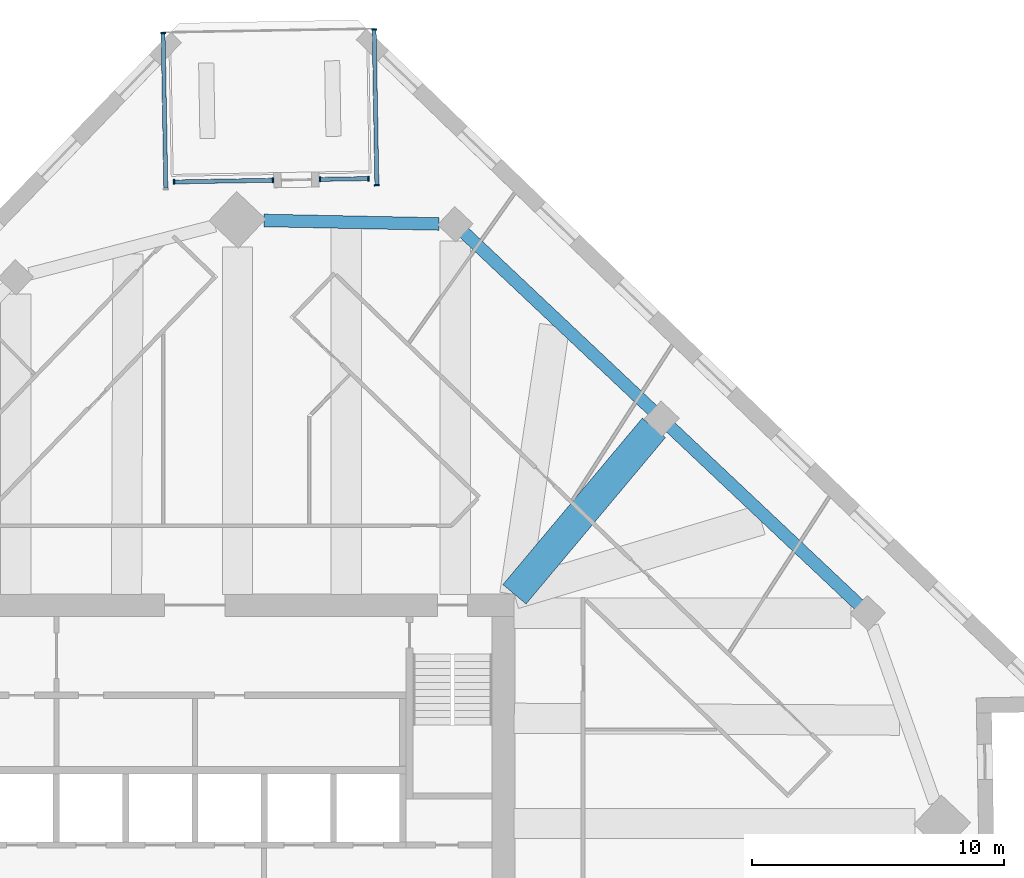
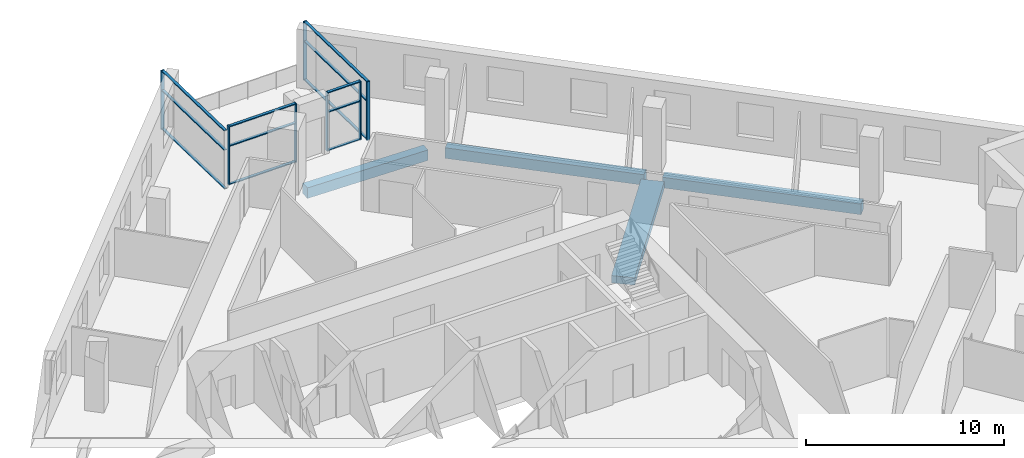
# One storey, part 4 of 13: 19 members, 4 beams, 4 elements without a shape of their own.
"""IFC4 building model written with IfcOpenShell, lengths in metres."""

import ifcopenshell
import ifcopenshell.guid

model = None  # the IFC model being written
_history = None  # IfcOwnerHistory: only IFC2X3 demands one
_inside = {}  # id of a spatial element -> (the spatial element, [elements in it])
_under = {}  # id of a project, library or spatial element -> (it, [spatial elements below it])
_declared = {}  # id of a project -> (the project, [libraries it declares])
_typed = {}  # id of a type object -> (the type object, [elements of that type])
_made_of = {}  # id of a material, layer set ... -> (it, [elements and type objects made of it])


def new_model(schema):
    """Start an empty IFC model of exactly this schema.

    Asked for "IFC4X3", IfcOpenShell would pick the latest addendum, in which some entities
    have other attributes; the version numbers below select the first issue.
    IFC2X3 requires an IfcOwnerHistory on every rooted entity: one is made here for all.
    """
    global model, _history
    if schema == "IFC4X3":
        model = ifcopenshell.file(schema_version=(4, 3, 0, 0))
    else:
        model = ifcopenshell.file(schema=schema)
    _inside.clear()
    _under.clear()
    _declared.clear()
    _typed.clear()
    _made_of.clear()
    _history = None
    if model.schema == "IFC2X3":
        org = make("IfcOrganization", Name="unknown")
        user = make(
            "IfcPersonAndOrganization",
            ThePerson=make("IfcPerson", FamilyName="unknown"),
            TheOrganization=org,
        )
        app = make(
            "IfcApplication",
            ApplicationDeveloper=org,
            Version="unknown",
            ApplicationFullName="unknown",
            ApplicationIdentifier="unknown",
        )
        _history = make(
            "IfcOwnerHistory",
            OwningUser=user,
            OwningApplication=app,
            ChangeAction="ADDED",
            CreationDate=0,
        )
    return model


def make(cls, **values):
    """One entity of the class cls with the attributes given. An attribute that is None is left unset."""
    return model.create_entity(
        cls, **{name: value for name, value in values.items() if value is not None}
    )


def rooted(cls, **values):
    """An entity with a GlobalId (a new one), such as an element, a storey or a relation."""
    return make(cls, GlobalId=ifcopenshell.guid.new(), OwnerHistory=_history, **values)


def si_unit(unit_type, name, prefix=None):
    """IfcSIUnit, for example si_unit("LENGTHUNIT", "METRE", prefix="MILLI")."""
    return make("IfcSIUnit", UnitType=unit_type, Prefix=prefix, Name=name)


def assignment(units):
    """IfcUnitAssignment: the units of a project."""
    return None if units is None else make("IfcUnitAssignment", Units=units)


def point(xyz):
    """IfcCartesianPoint."""
    return None if xyz is None else make("IfcCartesianPoint", Coordinates=xyz)


def direction(xyz):
    """IfcDirection."""
    return None if xyz is None else make("IfcDirection", DirectionRatios=xyz)


def frame(location, z_axis=None, x_axis=None):
    """IfcAxis2Placement3D, a coordinate frame: its origin and axes. An axis left out is left unset."""
    return make(
        "IfcAxis2Placement3D",
        Location=point(location),
        Axis=direction(z_axis),
        RefDirection=direction(x_axis),
    )


def frame_2d(location, x_axis=None):
    """IfcAxis2Placement2D, a coordinate frame in the plane: its origin and x axis."""
    return make(
        "IfcAxis2Placement2D", Location=point(location), RefDirection=direction(x_axis)
    )


def origin():
    """The frame at (0, 0, 0) with its axes left unset."""
    return frame((0.0, 0.0, 0.0))


def origin_2d():
    """The frame at (0, 0) in the plane with its x axis left unset."""
    return frame_2d((0.0, 0.0))


def place(relative_to, where):
    """IfcLocalPlacement: puts the frame where relative to a parent placement (None: the world)."""
    return make(
        "IfcLocalPlacement", PlacementRelTo=relative_to, RelativePlacement=where
    )


def context(
    kind, dimensions, precision=None, world=None, true_north=None, identifier=None
):
    """IfcGeometricRepresentationContext, for example the 3D "Model" context."""
    return make(
        "IfcGeometricRepresentationContext",
        ContextIdentifier=identifier,
        ContextType=kind,
        CoordinateSpaceDimension=dimensions,
        Precision=precision,
        WorldCoordinateSystem=world,
        TrueNorth=true_north,
    )


def subcontext(parent, identifier, kind, view, scale=None):
    """IfcGeometricRepresentationSubContext, for example "Body" below "Model"."""
    return make(
        "IfcGeometricRepresentationSubContext",
        ContextIdentifier=identifier,
        ContextType=kind,
        ParentContext=parent,
        TargetScale=scale,
        TargetView=view,
    )


def project(units=None, contexts=None):
    """IfcProject with its units and contexts."""
    return rooted(
        "IfcProject",
        Name="project",
        RepresentationContexts=contexts,
        UnitsInContext=assignment(units),
    )


def spatial(cls, under=None, at=None, **own):
    """A site, building, storey or space (cls), placed at a placement, below another one or the project."""
    s = rooted(cls, ObjectPlacement=at, **own)
    if under is not None:
        _under.setdefault(under.id(), (under, []))[1].append(s)
    return s


def profile(cls, at=None, kind="AREA", **sizes):
    """A parametric profile (cls). Its sizes go by their IFC names, for example OverallWidth=200.0."""
    return make(cls, ProfileType=kind, Position=at, **sizes)


def rectangle(**sizes):
    """IfcRectangleProfileDef."""
    return profile("IfcRectangleProfileDef", **sizes)


def extrude(swept, where, along, depth):
    """IfcExtrudedAreaSolid: the profile swept, set in the frame where, extruded along a direction by depth."""
    return make(
        "IfcExtrudedAreaSolid",
        SweptArea=swept,
        Position=where,
        ExtrudedDirection=direction(along),
        Depth=depth,
    )


def shape(context_of_items, identifier, shape_type, items):
    """IfcShapeRepresentation: the items that make up one representation, for example the "Body"."""
    return make(
        "IfcShapeRepresentation",
        ContextOfItems=context_of_items,
        RepresentationIdentifier=identifier,
        RepresentationType=shape_type,
        Items=items,
    )


def material(Name=None, Category=None):
    """IfcMaterial."""
    return make("IfcMaterial", Name=Name, Category=Category)


def material_profile(
    of_material, cross_section, Name=None, Category=None, Priority=None
):
    """IfcMaterialProfile: a cross section and its material."""
    return make(
        "IfcMaterialProfile",
        Name=Name,
        Material=of_material,
        Profile=cross_section,
        Priority=Priority,
        Category=Category,
    )


def profile_set(profiles, Name=None, composite=None):
    """IfcMaterialProfileSet."""
    return make(
        "IfcMaterialProfileSet",
        Name=Name,
        MaterialProfiles=profiles,
        CompositeProfile=composite,
    )


def made_of(thing, what):
    """Note that an element or type object is made of a material, layer set ...; save() writes the relation."""
    if what is not None:
        _made_of.setdefault(what.id(), (what, []))[1].append(thing)
    return thing


def type_object(cls, material=None, **own):
    """A type object (cls), such as IfcWallType, which elements share."""
    return made_of(rooted(cls, **own), material)


def element(
    cls,
    number,
    at=None,
    inside=None,
    cuts=None,
    type_object=None,
    material=None,
    context=None,
    identifier="Body",
    shape_type=None,
    held_by="IfcProductDefinitionShape",
    body=None,
    shapes=None,
    **own,
):
    """One element of the class cls, such as IfcWall. Its Tag is "e" and its number.

    at: its placement. inside: the storey or other place that contains it. cuts: it is an
    opening in that element (IfcRelVoidsElement). A single representation is given by context,
    identifier, shape_type and body (its items); several are given by shapes. held_by: the class
    of the entity that holds the representations. save() writes the other relations.
    """
    e = rooted(cls, Tag="e%d" % number, ObjectPlacement=at, **own)
    if body is not None:
        shapes = [shape(context, identifier, shape_type, body)]
    if shapes is not None:
        e.Representation = make(held_by, Representations=shapes)
    if inside is not None:
        _inside.setdefault(inside.id(), (inside, []))[1].append(e)
    if cuts is not None:
        rooted(
            "IfcRelVoidsElement", RelatingBuildingElement=cuts, RelatedOpeningElement=e
        )
    if type_object is not None:
        _typed.setdefault(type_object.id(), (type_object, []))[1].append(e)
    return made_of(e, material)


def aggregate(whole, parts):
    """IfcRelAggregates: a whole, such as a stair, and the parts it consists of."""
    return rooted("IfcRelAggregates", RelatingObject=whole, RelatedObjects=parts)


def save(model, path):
    """Write the relations noted so far, then the file.

    IfcRelAggregates (storeys below a building ...), IfcRelContainedInSpatialStructure (elements
    in a storey), IfcRelDefinesByType, IfcRelAssociatesMaterial and IfcRelDeclares: one each for
    every whole, place, type object, material and project.
    """
    for whole, parts in _under.values():
        aggregate(whole, parts)
    for where, things in _inside.values():
        rooted(
            "IfcRelContainedInSpatialStructure",
            RelatedElements=things,
            RelatingStructure=where,
        )
    for kind, things in _typed.values():
        rooted("IfcRelDefinesByType", RelatedObjects=things, RelatingType=kind)
    for what, things in _made_of.values():
        rooted("IfcRelAssociatesMaterial", RelatedObjects=things, RelatingMaterial=what)
    for by, libraries in _declared.values():
        rooted("IfcRelDeclares", RelatingContext=by, RelatedDefinitions=libraries)
    model.write(path)


model = new_model("IFC4")

# Units and contexts
model_context = context("Model", 3, precision=1e-05, world=origin(), true_north=direction((0.0, 1.0)))
body_context = subcontext(model_context, "Body", "Model", "MODEL_VIEW")
ifc_project = project(units=[si_unit("LENGTHUNIT", "METRE"), si_unit("AREAUNIT", "SQUARE_METRE"), si_unit("VOLUMEUNIT", "CUBIC_METRE"), si_unit("PLANEANGLEUNIT", "RADIAN"), si_unit("MASSUNIT", "GRAM", prefix="KILO")], contexts=[model_context])

# Site, building, storey
site_placement = place(None, origin())
site = spatial("IfcSite", under=ifc_project, at=site_placement, CompositionType="ELEMENT")
building_placement = place(site_placement, origin())
building = spatial("IfcBuilding", under=site, at=building_placement, Name="Dilmun Exchange Tower", CompositionType="ELEMENT")
storey_placement = place(building_placement, frame((0.0, 0.0, 205.300048828125)))
storey = spatial("IfcBuildingStorey", under=building, at=storey_placement, Name="L48", CompositionType="ELEMENT", Elevation=205.300048828125)

# Curtain wall, members
ifc_material_1 = material(Name="Anodised aluminium and clear glass", Category="aluminium")
curtain_wall_type = type_object("IfcCurtainWallType", Name="Garden corner glazing", PredefinedType="NOTDEFINED", material=ifc_material_1)
curtain_wall_1_placement = place(storey_placement, origin())
curtain_wall_1 = element("IfcCurtainWall", 1, at=curtain_wall_1_placement, inside=storey, type_object=curtain_wall_type, Name="Garden corner glazing run GC1.1", PredefinedType="NOTDEFINED")
ifc_material_2 = material(Name="Anodised aluminium", Category="aluminium")
ifc_material_profile_1 = material_profile(ifc_material_2, rectangle(XDim=0.199951171875, YDim=0.06005859375, at=origin_2d()), Name="AL 60x200")
ifc_profile_set_1 = profile_set([ifc_material_profile_1], Name="Anodised aluminium")
member_type_1 = type_object("IfcMemberType", Name="Garden corner glazing mullion 60 x 200", PredefinedType="MULLION", material=ifc_profile_set_1)
member_1_placement = place(storey_placement, frame((7.113037109375, 35.101318359375, 0.0), z_axis=(0.0, 0.0, 1.0), x_axis=(0.999847738755, 0.017449908501, 0.0)))
member_1 = element("IfcMember", 2, at=member_1_placement, type_object=member_type_1, Name="GC1.1 mullion 1", PredefinedType="MULLION", context=body_context, shape_type="SweptSolid", body=[
    extrude(rectangle(XDim=0.199951171875, YDim=0.06005859375, at=origin_2d()), origin(), (0.0, 0.0, 1.0), 3.619873046875),
])
member_2_placement = place(storey_placement, frame((7.22119140625, 28.915771484375, 0.0), z_axis=(0.0, 0.0, 1.0), x_axis=(0.999847738755, 0.017449908501, 0.0)))
member_2 = element("IfcMember", 3, at=member_2_placement, type_object=member_type_1, Name="GC1.1 mullion 2", PredefinedType="MULLION", context=body_context, shape_type="SweptSolid", body=[
    extrude(rectangle(XDim=0.199951171875, YDim=0.06005859375, at=origin_2d()), origin(), (0.0, 0.0, 1.0), 3.619873046875),
])

curtain_wall_2_placement = place(storey_placement, origin())
curtain_wall_2 = element("IfcCurtainWall", 4, at=curtain_wall_2_placement, inside=storey, type_object=curtain_wall_type, Name="Garden corner glazing run GC2.1", PredefinedType="NOTDEFINED")
member_3_placement = place(storey_placement, frame((6.886474609375, 29.179931640625, 0.0), z_axis=(0.0, 0.0, 1.0), x_axis=(0.017445052024, -0.999847823501, 0.0)))
member_3 = element("IfcMember", 5, at=member_3_placement, type_object=member_type_1, Name="GC2.1 mullion 1", PredefinedType="MULLION", context=body_context, shape_type="SweptSolid", body=[
    extrude(rectangle(XDim=0.199951171875, YDim=0.06005859375, at=origin_2d()), origin(), (0.0, 0.0, 1.0), 3.619873046875),
])
member_4_placement = place(storey_placement, frame((4.95751953125, 29.146240234375, 0.0), z_axis=(0.0, 0.0, 1.0), x_axis=(0.017445052024, -0.999847823501, 0.0)))
member_4 = element("IfcMember", 6, at=member_4_placement, type_object=member_type_1, Name="GC2.1 mullion 2", PredefinedType="MULLION", context=body_context, shape_type="SweptSolid", body=[
    extrude(rectangle(XDim=0.199951171875, YDim=0.06005859375, at=origin_2d()), origin(), (0.0, 0.0, 1.0), 3.619873046875),
])

curtain_wall_3_placement = place(storey_placement, origin())
curtain_wall_3 = element("IfcCurtainWall", 7, at=curtain_wall_3_placement, inside=storey, type_object=curtain_wall_type, Name="Garden corner glazing run GC2.3", PredefinedType="NOTDEFINED")
member_5_placement = place(storey_placement, frame((3.097900390625, 29.11376953125, 0.0), z_axis=(0.0, 0.0, 1.0), x_axis=(0.017472573608, -0.999847342934, 0.0)))
member_5 = element("IfcMember", 8, at=member_5_placement, type_object=member_type_1, Name="GC2.3 mullion 1", PredefinedType="MULLION", context=body_context, shape_type="SweptSolid", body=[
    extrude(rectangle(XDim=0.199951171875, YDim=0.06005859375, at=origin_2d()), origin(), (0.0, 0.0, 1.0), 3.619873046875),
])
member_6_placement = place(storey_placement, frame((-0.83056640625, 29.045166015625, 0.0), z_axis=(0.0, 0.0, 1.0), x_axis=(0.017472573608, -0.999847342934, 0.0)))
member_6 = element("IfcMember", 9, at=member_6_placement, type_object=member_type_1, Name="GC2.3 mullion 2", PredefinedType="MULLION", context=body_context, shape_type="SweptSolid", body=[
    extrude(rectangle(XDim=0.199951171875, YDim=0.06005859375, at=origin_2d()), origin(), (0.0, 0.0, 1.0), 3.619873046875),
])

# Curtain wall, member
curtain_wall_4_placement = place(storey_placement, origin())
curtain_wall_4 = element("IfcCurtainWall", 10, at=curtain_wall_4_placement, inside=storey, type_object=curtain_wall_type, Name="Garden corner glazing run GC3.1", PredefinedType="NOTDEFINED")
member_7_placement = place(storey_placement, frame((-1.263671875, 34.955078125, 0.0), z_axis=(0.0, 0.0, 1.0), x_axis=(-0.99984773388, -0.017450187816, 0.0)))
member_7 = element("IfcMember", 11, at=member_7_placement, type_object=member_type_1, Name="GC3.1 mullion 2", PredefinedType="MULLION", context=body_context, shape_type="SweptSolid", body=[
    extrude(rectangle(XDim=0.199951171875, YDim=0.06005859375, at=origin_2d()), origin(), (0.0, 0.0, 1.0), 3.619873046875),
])

# Member
ifc_material_profile_2 = material_profile(ifc_material_2, rectangle(XDim=0.159912109375, YDim=0.06005859375, at=origin_2d()), Name="AL 60x160")
ifc_profile_set_2 = profile_set([ifc_material_profile_2], Name="Anodised aluminium")
member_type_2 = type_object("IfcMemberType", Name="Garden corner glazing transom 60 x 160", PredefinedType="USERDEFINED", material=ifc_profile_set_2)
member_8_placement = place(storey_placement, frame((7.113525390625, 35.0712890625, 0.030029296875), z_axis=(0.017454494799, -0.999847658702, 0.0), x_axis=(0.999847658702, 0.017454494799, 0.0)))
member_8 = element("IfcMember", 12, at=member_8_placement, type_object=member_type_2, Name="GC1.1 transom 1.1", ObjectType="TRANSOM", PredefinedType="USERDEFINED", context=body_context, shape_type="SweptSolid", body=[
    extrude(rectangle(XDim=0.159912109375, YDim=0.06005859375, at=origin_2d()), origin(), (0.0, 0.0, 1.0), 6.12646484375),
])

member_9_placement = place(storey_placement, frame((7.113525390625, 35.0712890625, 2.39990234375), z_axis=(0.017454494799, -0.999847658702, 0.0), x_axis=(0.999847658702, 0.017454494799, 0.0)))
member_9 = element("IfcMember", 13, at=member_9_placement, type_object=member_type_2, Name="GC1.1 transom 1.2", ObjectType="TRANSOM", PredefinedType="USERDEFINED", context=body_context, shape_type="SweptSolid", body=[
    extrude(rectangle(XDim=0.159912109375, YDim=0.06005859375, at=origin_2d()), origin(), (0.0, 0.0, 1.0), 6.12646484375),
])

member_10_placement = place(storey_placement, frame((7.113525390625, 35.0712890625, 3.58984375), z_axis=(0.017454494799, -0.999847658702, 0.0), x_axis=(0.999847658702, 0.017454494799, 0.0)))
member_10 = element("IfcMember", 14, at=member_10_placement, type_object=member_type_2, Name="GC1.1 transom 1.3", ObjectType="TRANSOM", PredefinedType="USERDEFINED", context=body_context, shape_type="SweptSolid", body=[
    extrude(rectangle(XDim=0.159912109375, YDim=0.06005859375, at=origin_2d()), origin(), (0.0, 0.0, 1.0), 6.12646484375),
])

aggregate(curtain_wall_1, [member_1, member_2, member_8, member_9, member_10])

member_11_placement = place(storey_placement, frame((6.8564453125, 29.179443359375, 0.030029296875), z_axis=(-0.999846824461, -0.017502217437, 0.0), x_axis=(0.017502217437, -0.999846824461, 0.0)))
member_11 = element("IfcMember", 15, at=member_11_placement, type_object=member_type_2, Name="GC2.1 transom 1.1", ObjectType="TRANSOM", PredefinedType="USERDEFINED", context=body_context, shape_type="SweptSolid", body=[
    extrude(rectangle(XDim=0.159912109375, YDim=0.06005859375, at=origin_2d()), origin(), (0.0, 0.0, 1.0), 1.869140625),
])

member_12_placement = place(storey_placement, frame((6.8564453125, 29.179443359375, 2.39990234375), z_axis=(-0.999846824461, -0.017502217437, 0.0), x_axis=(0.017502217437, -0.999846824461, 0.0)))
member_12 = element("IfcMember", 16, at=member_12_placement, type_object=member_type_2, Name="GC2.1 transom 1.2", ObjectType="TRANSOM", PredefinedType="USERDEFINED", context=body_context, shape_type="SweptSolid", body=[
    extrude(rectangle(XDim=0.159912109375, YDim=0.06005859375, at=origin_2d()), origin(), (0.0, 0.0, 1.0), 1.869140625),
])

member_13_placement = place(storey_placement, frame((6.8564453125, 29.179443359375, 3.58984375), z_axis=(-0.999846824461, -0.017502217437, 0.0), x_axis=(0.017502217437, -0.999846824461, 0.0)))
member_13 = element("IfcMember", 17, at=member_13_placement, type_object=member_type_2, Name="GC2.1 transom 1.3", ObjectType="TRANSOM", PredefinedType="USERDEFINED", context=body_context, shape_type="SweptSolid", body=[
    extrude(rectangle(XDim=0.159912109375, YDim=0.06005859375, at=origin_2d()), origin(), (0.0, 0.0, 1.0), 1.869140625),
])

aggregate(curtain_wall_2, [member_3, member_4, member_11, member_12, member_13])

member_14_placement = place(storey_placement, frame((3.06787109375, 29.11328125, 0.030029296875), z_axis=(-0.999847227381, -0.017479184726, 0.0), x_axis=(0.017479184726, -0.999847227381, 0.0)))
member_14 = element("IfcMember", 18, at=member_14_placement, type_object=member_type_2, Name="GC2.3 transom 1.1", ObjectType="TRANSOM", PredefinedType="USERDEFINED", context=body_context, shape_type="SweptSolid", body=[
    extrude(rectangle(XDim=0.159912109375, YDim=0.06005859375, at=origin_2d()), origin(), (0.0, 0.0, 1.0), 3.868896484375),
])

member_15_placement = place(storey_placement, frame((3.06787109375, 29.11328125, 2.39990234375), z_axis=(-0.999847227381, -0.017479184726, 0.0), x_axis=(0.017479184726, -0.999847227381, 0.0)))
member_15 = element("IfcMember", 19, at=member_15_placement, type_object=member_type_2, Name="GC2.3 transom 1.2", ObjectType="TRANSOM", PredefinedType="USERDEFINED", context=body_context, shape_type="SweptSolid", body=[
    extrude(rectangle(XDim=0.159912109375, YDim=0.06005859375, at=origin_2d()), origin(), (0.0, 0.0, 1.0), 3.868896484375),
])

member_16_placement = place(storey_placement, frame((3.06787109375, 29.11328125, 3.58984375), z_axis=(-0.999847227381, -0.017479184726, 0.0), x_axis=(0.017479184726, -0.999847227381, 0.0)))
member_16 = element("IfcMember", 20, at=member_16_placement, type_object=member_type_2, Name="GC2.3 transom 1.3", ObjectType="TRANSOM", PredefinedType="USERDEFINED", context=body_context, shape_type="SweptSolid", body=[
    extrude(rectangle(XDim=0.159912109375, YDim=0.06005859375, at=origin_2d()), origin(), (0.0, 0.0, 1.0), 3.868896484375),
])

aggregate(curtain_wall_3, [member_5, member_6, member_14, member_15, member_16])

member_17_placement = place(storey_placement, frame((-1.15625, 28.799560546875, 0.030029296875), z_axis=(-0.017454494799, 0.999847658702, 0.0), x_axis=(-0.999847658702, -0.017454494799, 0.0)))
member_17 = element("IfcMember", 21, at=member_17_placement, type_object=member_type_2, Name="GC3.1 transom 1.1", ObjectType="TRANSOM", PredefinedType="USERDEFINED", context=body_context, shape_type="SweptSolid", body=[
    extrude(rectangle(XDim=0.159912109375, YDim=0.06005859375, at=origin_2d()), origin(), (0.0, 0.0, 1.0), 6.12646484375),
])

member_18_placement = place(storey_placement, frame((-1.15625, 28.799560546875, 2.39990234375), z_axis=(-0.017454494799, 0.999847658702, 0.0), x_axis=(-0.999847658702, -0.017454494799, 0.0)))
member_18 = element("IfcMember", 22, at=member_18_placement, type_object=member_type_2, Name="GC3.1 transom 1.2", ObjectType="TRANSOM", PredefinedType="USERDEFINED", context=body_context, shape_type="SweptSolid", body=[
    extrude(rectangle(XDim=0.159912109375, YDim=0.06005859375, at=origin_2d()), origin(), (0.0, 0.0, 1.0), 6.12646484375),
])

member_19_placement = place(storey_placement, frame((-1.15625, 28.799560546875, 3.58984375), z_axis=(-0.017454494799, 0.999847658702, 0.0), x_axis=(-0.999847658702, -0.017454494799, 0.0)))
member_19 = element("IfcMember", 23, at=member_19_placement, type_object=member_type_2, Name="GC3.1 transom 1.3", ObjectType="TRANSOM", PredefinedType="USERDEFINED", context=body_context, shape_type="SweptSolid", body=[
    extrude(rectangle(XDim=0.159912109375, YDim=0.06005859375, at=origin_2d()), origin(), (0.0, 0.0, 1.0), 6.12646484375),
])

aggregate(curtain_wall_4, [member_7, member_17, member_18, member_19])

# Beams
ifc_material_3 = material(Name="Concrete C40/50", Category="concrete")
ifc_material_profile_3 = material_profile(ifc_material_3, rectangle(XDim=1.199951171875, YDim=0.449951171875, at=origin_2d()), Name="1200 x 450")
ifc_profile_set_3 = profile_set([ifc_material_profile_3], Name="Concrete C40/50")
beam_type_1 = type_object("IfcBeamType", Name="RC band beam 1200 x 450 C40/50", PredefinedType="BEAM", material=ifc_profile_set_3)
beam_1_placement = place(storey_placement, frame((18.2158203125, 19.28369140625, -0.705078125), z_axis=(-0.642200063897, -0.766537068856, 0.0), x_axis=(0.766537068856, -0.642200063897, 0.0)))
element("IfcBeam", 24, at=beam_1_placement, inside=storey, type_object=beam_type_1, Name="Band beam 15", PredefinedType="BEAM", context=body_context, shape_type="SweptSolid", body=[
    extrude(rectangle(XDim=1.199951171875, YDim=0.449951171875, at=origin_2d()), origin(), (0.0, 0.0, 1.0), 8.615966796875),
])
ifc_material_profile_4 = material_profile(ifc_material_3, rectangle(XDim=0.5, YDim=0.64990234375, at=origin_2d()), Name="500 x 650")
ifc_profile_set_4 = profile_set([ifc_material_profile_4], Name="Concrete C40/50")
beam_type_2 = type_object("IfcBeamType", Name="RC ring beam 500 x 650 C40/50", PredefinedType="SPANDREL", material=ifc_profile_set_4)
beam_2_placement = place(storey_placement, frame((26.36181640625, 12.25537109375, -0.705078125), z_axis=(-0.727685706374, 0.68591071776, 0.0), x_axis=(-0.68591071776, -0.727685706374, 0.0)))
element("IfcBeam", 25, at=beam_2_placement, inside=storey, type_object=beam_type_2, Name="Ring beam 14", PredefinedType="SPANDREL", context=body_context, shape_type="SweptSolid", body=[
    extrude(rectangle(XDim=0.5, YDim=0.64990234375, at=origin_2d()), origin(), (0.0, 0.0, 1.0), 10.30322265625),
])
beam_3_placement = place(storey_placement, frame((18.17578125, 19.971435546875, -0.705078125), z_axis=(-0.727682990869, 0.685913598641, 0.0), x_axis=(-0.685913598641, -0.727682990869, 0.0)))
element("IfcBeam", 26, at=beam_3_placement, inside=storey, type_object=beam_type_2, Name="Ring beam 15", PredefinedType="SPANDREL", context=body_context, shape_type="SweptSolid", body=[
    extrude(rectangle(XDim=0.5, YDim=0.64990234375, at=origin_2d()), origin(), (0.0, 0.0, 1.0), 10.3046875),
])
beam_4_placement = place(storey_placement, frame((9.685791015625, 27.376953125, -0.705078125), z_axis=(-0.999797424966, 0.020127320539, 0.0), x_axis=(-0.020127320539, -0.999797424966, 0.0)))
element("IfcBeam", 27, at=beam_4_placement, inside=storey, type_object=beam_type_2, Name="Ring beam 16", PredefinedType="SPANDREL", context=body_context, shape_type="SweptSolid", body=[
    extrude(rectangle(XDim=0.5, YDim=0.64990234375, at=origin_2d()), origin(), (0.0, 0.0, 1.0), 6.950439453125),
])

save(model, "model.ifc")
